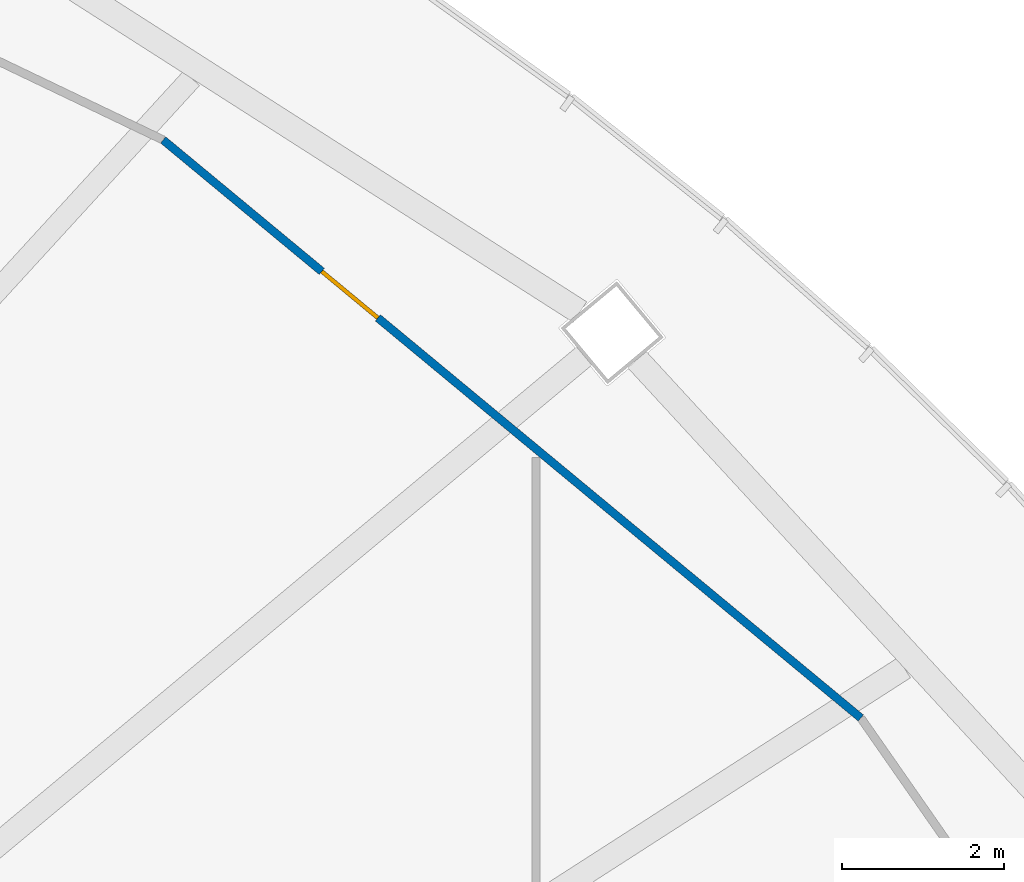
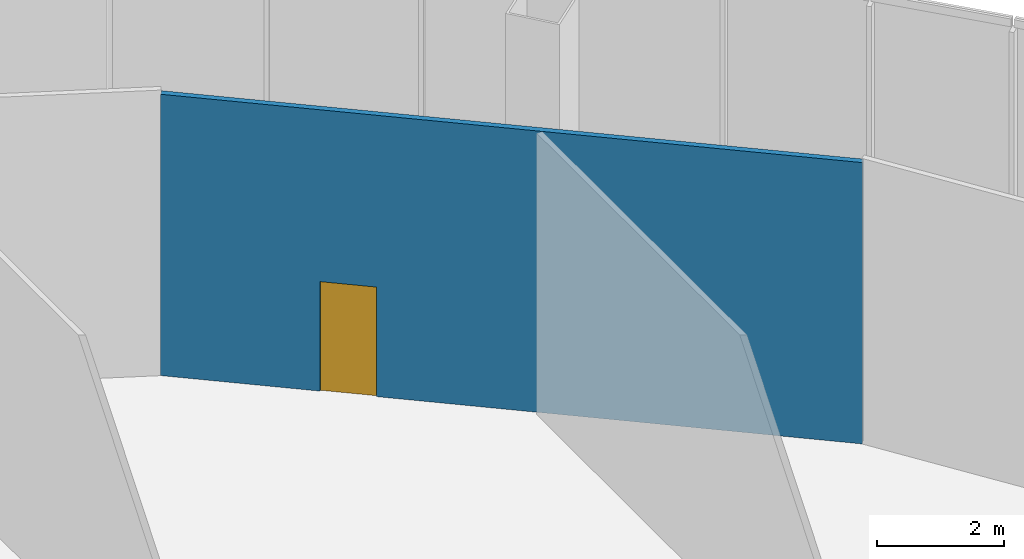
# One storey, part 27 of 33: 1 door, 1 wall, 1 opening.
"""IFC4 building model written with IfcOpenShell, lengths in metres."""

from ifc_helpers import new_model, si_unit, direction, frame, frame_2d, origin, place, context, subcontext, project, spatial, rectangle, extrude, material, layer, layer_set, type_object, element, fill, save


model = new_model("IFC4")

# Units and contexts
model_context = context("Model", 3, precision=1e-05, world=origin(), true_north=direction((0.0, 1.0)))
body_context = subcontext(model_context, "Body", "Model", "MODEL_VIEW")
ifc_project = project(units=[si_unit("LENGTHUNIT", "METRE"), si_unit("AREAUNIT", "SQUARE_METRE"), si_unit("VOLUMEUNIT", "CUBIC_METRE"), si_unit("PLANEANGLEUNIT", "RADIAN"), si_unit("MASSUNIT", "GRAM", prefix="KILO")], contexts=[model_context])

# Site, building, storey
site_placement = place(None, origin())
site = spatial("IfcSite", under=ifc_project, at=site_placement, CompositionType="ELEMENT")
building_placement = place(site_placement, origin())
building = spatial("IfcBuilding", under=site, at=building_placement, Name="Sahrelin Media Tower", CompositionType="ELEMENT")
storey_placement = place(building_placement, frame((0.0, 0.0, 37.39990234375)))
storey = spatial("IfcBuildingStorey", under=building, at=storey_placement, Name="L05", CompositionType="ELEMENT", Elevation=37.39990234375)

# Wall, opening, door
ifc_material_1 = material(Name="Gypsum board partition")
ifc_layer = layer(ifc_material_1, 0.10009765625)
ifc_layer_set = layer_set([ifc_layer], Name="Partition 100")
wall_type = type_object("IfcWallType", Name="Partition 100", PredefinedType="PARTITIONING", material=ifc_layer_set)
wall_placement = place(storey_placement, frame((37.010009765625, 23.528564453125, 0.0), z_axis=(0.0, 0.0, 1.0), x_axis=(-0.770046995363, 0.637987166746, 0.0)))
wall = element("IfcWall", 1, at=wall_placement, inside=storey, type_object=wall_type, Name="Wall", PredefinedType="PARTITIONING", context=body_context, shape_type="SweptSolid", body=[
    extrude(rectangle(XDim=11.182861328125, YDim=0.10009765625, at=frame_2d((5.59130859375, 0.0))), origin(), (0.0, 0.0, 1.0), 5.39501953125),
])
opening_placement = place(wall_placement, frame((7.740966796875, 0.0, 0.0)))
opening = element("IfcOpeningElement", 2, at=opening_placement, cuts=wall, Name="Opening L05-D33", PredefinedType="OPENING", context=body_context, shape_type="SweptSolid", body=[
    extrude(rectangle(XDim=0.89990234375, YDim=2.10009765625, at=frame_2d((0.449951171875, 1.050048828125))), frame((0.0, 0.050048828125, 0.0), z_axis=(0.0, -1.0, 0.0), x_axis=(1.0, 0.0, 0.0)), (0.0, 0.0, 1.0), 0.10009765625),
])
ifc_material_2 = material(Name="Timber door leaf", Category="wood")
door_type = type_object("IfcDoorType", Name="Single door 900 x 2100", OperationType="NOTDEFINED", PredefinedType="DOOR", material=ifc_material_2)
door_placement = place(opening_placement, origin())
door = element("IfcDoor", 3, at=door_placement, inside=storey, type_object=door_type, Name="Single door", OperationType="SINGLE_SWING_RIGHT", OverallHeight=2.10009765625, OverallWidth=0.89990234375, PredefinedType="DOOR", context=body_context, shape_type="SweptSolid", body=[
    extrude(rectangle(XDim=0.89990234375, YDim=2.10009765625, at=frame_2d((0.449951171875, 1.050048828125))), frame((0.0, 0.02490234375, 0.0), z_axis=(0.0, -1.0, 0.0), x_axis=(1.0, 0.0, 0.0)), (0.0, 0.0, 1.0), 0.050048828125),
])
fill(opening, door)

save(model, "model.ifc")
